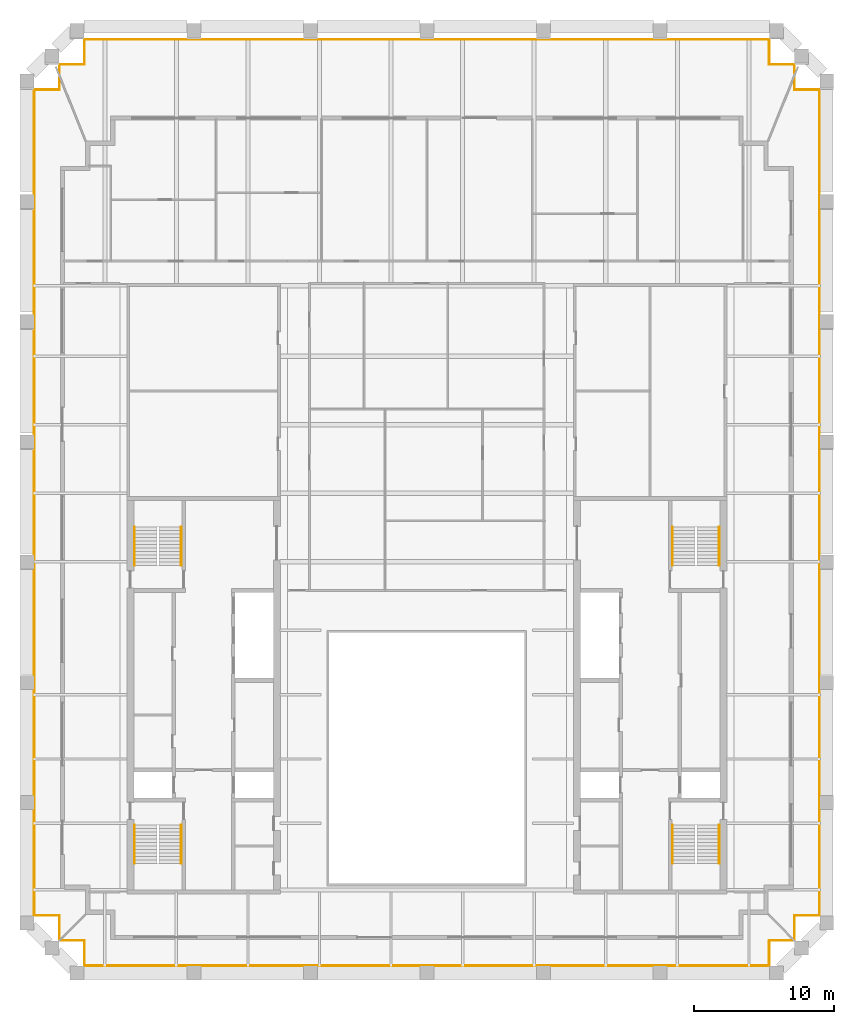
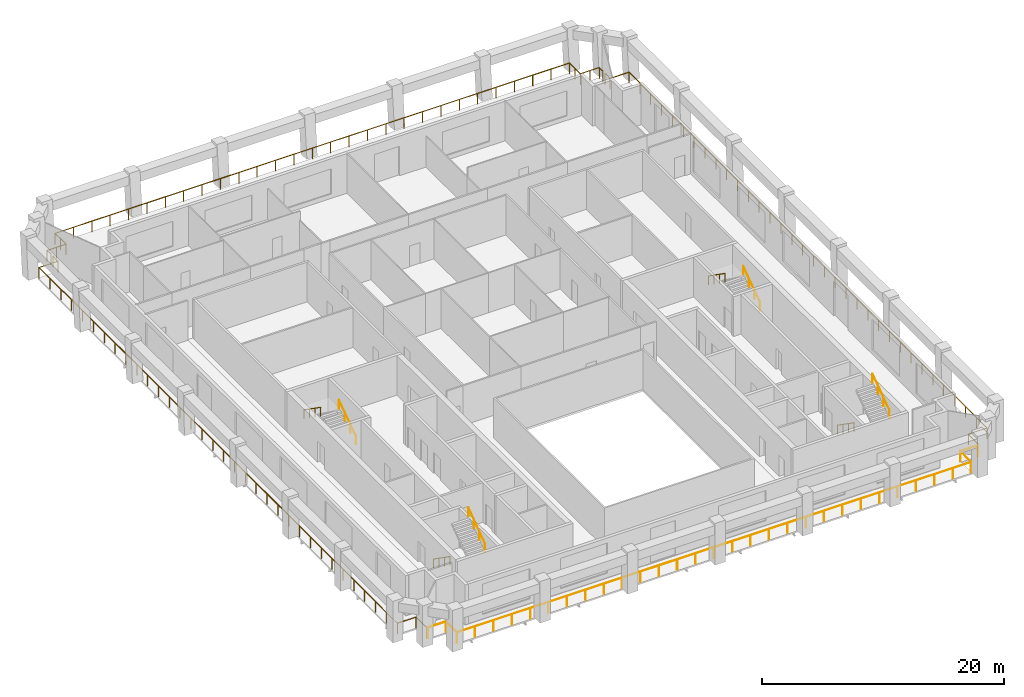
# One storey, part 8 of 8: 12 railings.
"""IFC4 building model written with IfcOpenShell, lengths in metres."""

from ifc_helpers import new_model, si_unit, direction, frame, origin, origin_2d, place, context, subcontext, project, spatial, circle, extrude, material, type_object, element, save


model = new_model("IFC4")

# Units and contexts
model_context = context("Model", 3, precision=1e-05, world=origin(), true_north=direction((0.0, 1.0)))
body_context = subcontext(model_context, "Body", "Model", "MODEL_VIEW")
ifc_project = project(units=[si_unit("LENGTHUNIT", "METRE"), si_unit("AREAUNIT", "SQUARE_METRE"), si_unit("VOLUMEUNIT", "CUBIC_METRE"), si_unit("PLANEANGLEUNIT", "RADIAN"), si_unit("MASSUNIT", "GRAM", prefix="KILO")], contexts=[model_context])

# Site, building, storey
site_placement = place(None, origin())
site = spatial("IfcSite", under=ifc_project, at=site_placement, CompositionType="ELEMENT")
building_placement = place(site_placement, origin())
building = spatial("IfcBuilding", under=site, at=building_placement, Name="Ogive Exchange Tower", CompositionType="ELEMENT")
storey_placement = place(building_placement, frame((0.0, 0.0, 342.60009765625)))
storey = spatial("IfcBuildingStorey", under=building, at=storey_placement, Name="L75", CompositionType="ELEMENT", Elevation=342.60009765625)

# Railings
ifc_material_1 = material(Name="Stainless steel 316", Category="steel")
railing_type_1 = type_object("IfcRailingType", Name="Guard 1100 stainless steel and glass", PredefinedType="GUARDRAIL", material=ifc_material_1)
railing_1_placement = place(storey_placement, frame((26.238037109375, -6.080078125, -0.050048828125)))
element("IfcRailing", 1, at=railing_1_placement, inside=storey, type_object=railing_type_1, Name="Loggia guard 1", PredefinedType="GUARDRAIL", context=body_context, shape_type="SweptSolid", body=[
    extrude(circle(Radius=0.02392578125, at=origin_2d()), frame((0.0, 0.0, 1.076171875), z_axis=(-1.0, 0.0, 0.0), x_axis=(0.0, -1.0, 0.0)), (0.0, 0.0, 1.0), 1.7080078125),
    extrude(circle(Radius=0.02392578125, at=origin_2d()), frame((-1.7080078125, 0.0, 1.076171875), z_axis=(0.0, -1.0, 0.0), x_axis=(1.0, 0.0, 0.0)), (0.0, 0.0, 1.0), 1.7998046875),
    extrude(circle(Radius=0.02392578125, at=origin_2d()), frame((-1.7080078125, -1.7998046875, 1.076171875), z_axis=(-1.0, 0.0, 0.0), x_axis=(0.0, -1.0, 0.0)), (0.0, 0.0, 1.0), 49.06005859375),
    extrude(circle(Radius=0.02392578125, at=origin_2d()), frame((-50.76806640625, -1.7998046875, 1.076171875), z_axis=(0.0, 1.0, 0.0), x_axis=(-1.0, 0.0, 0.0)), (0.0, 0.0, 1.0), 1.7998046875),
    extrude(circle(Radius=0.02392578125, at=origin_2d()), frame((-50.76806640625, 0.0, 1.076171875), z_axis=(-1.0, 0.0, 0.0), x_axis=(0.0, -1.0, 0.0)), (0.0, 0.0, 1.0), 1.7080078125),
    extrude(circle(Radius=0.02099609375, at=origin_2d()), origin(), (0.0, 0.0, 1.0), 1.052001953125),
    extrude(circle(Radius=0.02099609375, at=origin_2d()), frame((-1.7080078125, 0.0, 0.0)), (0.0, 0.0, 1.0), 1.052001953125),
    extrude(circle(Radius=0.02099609375, at=origin_2d()), frame((-1.7080078125, -1.7998046875, 0.0)), (0.0, 0.0, 1.0), 1.052001953125),
    extrude(circle(Radius=0.02099609375, at=origin_2d()), frame((-3.460205078125, -1.7998046875, 0.0)), (0.0, 0.0, 1.0), 1.052001953125),
    extrude(circle(Radius=0.02099609375, at=origin_2d()), frame((-5.21240234375, -1.7998046875, 0.0)), (0.0, 0.0, 1.0), 1.052001953125),
    extrude(circle(Radius=0.02099609375, at=origin_2d()), frame((-6.96435546875, -1.7998046875, 0.0)), (0.0, 0.0, 1.0), 1.052001953125),
    extrude(circle(Radius=0.02099609375, at=origin_2d()), frame((-8.716552734375, -1.7998046875, 0.0)), (0.0, 0.0, 1.0), 1.052001953125),
    extrude(circle(Radius=0.02099609375, at=origin_2d()), frame((-10.46875, -1.7998046875, 0.0)), (0.0, 0.0, 1.0), 1.052001953125),
    extrude(circle(Radius=0.02099609375, at=origin_2d()), frame((-12.220947265625, -1.7998046875, 0.0)), (0.0, 0.0, 1.0), 1.052001953125),
    extrude(circle(Radius=0.02099609375, at=origin_2d()), frame((-13.97314453125, -1.7998046875, 0.0)), (0.0, 0.0, 1.0), 1.052001953125),
    extrude(circle(Radius=0.02099609375, at=origin_2d()), frame((-15.72509765625, -1.7998046875, 0.0)), (0.0, 0.0, 1.0), 1.052001953125),
    extrude(circle(Radius=0.02099609375, at=origin_2d()), frame((-17.477294921875, -1.7998046875, 0.0)), (0.0, 0.0, 1.0), 1.052001953125),
    extrude(circle(Radius=0.02099609375, at=origin_2d()), frame((-19.2294921875, -1.7998046875, 0.0)), (0.0, 0.0, 1.0), 1.052001953125),
    extrude(circle(Radius=0.02099609375, at=origin_2d()), frame((-20.981689453125, -1.7998046875, 0.0)), (0.0, 0.0, 1.0), 1.052001953125),
    extrude(circle(Radius=0.02099609375, at=origin_2d()), frame((-22.733642578125, -1.7998046875, 0.0)), (0.0, 0.0, 1.0), 1.052001953125),
    extrude(circle(Radius=0.02099609375, at=origin_2d()), frame((-24.48583984375, -1.7998046875, 0.0)), (0.0, 0.0, 1.0), 1.052001953125),
    extrude(circle(Radius=0.02099609375, at=origin_2d()), frame((-26.238037109375, -1.7998046875, 0.0)), (0.0, 0.0, 1.0), 1.052001953125),
    extrude(circle(Radius=0.02099609375, at=origin_2d()), frame((-27.990234375, -1.7998046875, 0.0)), (0.0, 0.0, 1.0), 1.052001953125),
    extrude(circle(Radius=0.02099609375, at=origin_2d()), frame((-29.742431640625, -1.7998046875, 0.0)), (0.0, 0.0, 1.0), 1.052001953125),
    extrude(circle(Radius=0.02099609375, at=origin_2d()), frame((-31.494384765625, -1.7998046875, 0.0)), (0.0, 0.0, 1.0), 1.052001953125),
    extrude(circle(Radius=0.02099609375, at=origin_2d()), frame((-33.24658203125, -1.7998046875, 0.0)), (0.0, 0.0, 1.0), 1.052001953125),
    extrude(circle(Radius=0.02099609375, at=origin_2d()), frame((-34.998779296875, -1.7998046875, 0.0)), (0.0, 0.0, 1.0), 1.052001953125),
    extrude(circle(Radius=0.02099609375, at=origin_2d()), frame((-36.7509765625, -1.7998046875, 0.0)), (0.0, 0.0, 1.0), 1.052001953125),
    extrude(circle(Radius=0.02099609375, at=origin_2d()), frame((-38.5029296875, -1.7998046875, 0.0)), (0.0, 0.0, 1.0), 1.052001953125),
    extrude(circle(Radius=0.02099609375, at=origin_2d()), frame((-40.255126953125, -1.7998046875, 0.0)), (0.0, 0.0, 1.0), 1.052001953125),
    extrude(circle(Radius=0.02099609375, at=origin_2d()), frame((-42.00732421875, -1.7998046875, 0.0)), (0.0, 0.0, 1.0), 1.052001953125),
    extrude(circle(Radius=0.02099609375, at=origin_2d()), frame((-43.759521484375, -1.7998046875, 0.0)), (0.0, 0.0, 1.0), 1.052001953125),
    extrude(circle(Radius=0.02099609375, at=origin_2d()), frame((-45.51171875, -1.7998046875, 0.0)), (0.0, 0.0, 1.0), 1.052001953125),
    extrude(circle(Radius=0.02099609375, at=origin_2d()), frame((-47.263671875, -1.7998046875, 0.0)), (0.0, 0.0, 1.0), 1.052001953125),
    extrude(circle(Radius=0.02099609375, at=origin_2d()), frame((-49.015869140625, -1.7998046875, 0.0)), (0.0, 0.0, 1.0), 1.052001953125),
    extrude(circle(Radius=0.02099609375, at=origin_2d()), frame((-50.76806640625, -1.7998046875, 0.0)), (0.0, 0.0, 1.0), 1.052001953125),
    extrude(circle(Radius=0.02099609375, at=origin_2d()), frame((-50.76806640625, 0.0, 0.0)), (0.0, 0.0, 1.0), 1.052001953125),
    extrude(circle(Radius=0.02099609375, at=origin_2d()), frame((-52.47607421875, 0.0, 0.0)), (0.0, 0.0, 1.0), 1.052001953125),
])
railing_2_placement = place(storey_placement, frame((-26.330078125, -5.988037109375, -0.050048828125)))
element("IfcRailing", 2, at=railing_2_placement, inside=storey, type_object=railing_type_1, Name="Loggia guard 2", PredefinedType="GUARDRAIL", context=body_context, shape_type="SweptSolid", body=[
    extrude(circle(Radius=0.02392578125, at=origin_2d()), frame((0.0, 0.0, 1.076171875), z_axis=(0.0, 1.0, 0.0), x_axis=(-1.0, 0.0, 0.0)), (0.0, 0.0, 1.0), 1.7080078125),
    extrude(circle(Radius=0.02392578125, at=origin_2d()), frame((0.0, 1.7080078125, 1.076171875), z_axis=(-1.0, 0.0, 0.0), x_axis=(0.0, -1.0, 0.0)), (0.0, 0.0, 1.0), 1.7998046875),
    extrude(circle(Radius=0.02392578125, at=origin_2d()), frame((-1.7998046875, 1.7080078125, 1.076171875), z_axis=(0.0, 1.0, 0.0), x_axis=(-1.0, 0.0, 0.0)), (0.0, 0.0, 1.0), 59.159912109375),
    extrude(circle(Radius=0.02392578125, at=origin_2d()), frame((-1.7998046875, 60.867919921875, 1.076171875), z_axis=(1.0, 0.0, 0.0), x_axis=(0.0, 1.0, 0.0)), (0.0, 0.0, 1.0), 1.7998046875),
    extrude(circle(Radius=0.02392578125, at=origin_2d()), frame((0.0, 60.867919921875, 1.076171875), z_axis=(0.0, 1.0, 0.0), x_axis=(-1.0, 0.0, 0.0)), (0.0, 0.0, 1.0), 0.84521484375),
    extrude(circle(Radius=0.02099609375, at=origin_2d()), origin(), (0.0, 0.0, 1.0), 1.052001953125),
    extrude(circle(Radius=0.02099609375, at=origin_2d()), frame((0.0, 1.7080078125, 0.0)), (0.0, 0.0, 1.0), 1.052001953125),
    extrude(circle(Radius=0.02099609375, at=origin_2d()), frame((-1.7998046875, 1.7080078125, 0.0)), (0.0, 0.0, 1.0), 1.052001953125),
    extrude(circle(Radius=0.02099609375, at=origin_2d()), frame((-1.7998046875, 3.500732421875, 0.0)), (0.0, 0.0, 1.0), 1.052001953125),
    extrude(circle(Radius=0.02099609375, at=origin_2d()), frame((-1.7998046875, 5.29345703125, 0.0)), (0.0, 0.0, 1.0), 1.052001953125),
    extrude(circle(Radius=0.02099609375, at=origin_2d()), frame((-1.7998046875, 7.086181640625, 0.0)), (0.0, 0.0, 1.0), 1.052001953125),
    extrude(circle(Radius=0.02099609375, at=origin_2d()), frame((-1.7998046875, 8.87890625, 0.0)), (0.0, 0.0, 1.0), 1.052001953125),
    extrude(circle(Radius=0.02099609375, at=origin_2d()), frame((-1.7998046875, 10.671630859375, 0.0)), (0.0, 0.0, 1.0), 1.052001953125),
    extrude(circle(Radius=0.02099609375, at=origin_2d()), frame((-1.7998046875, 12.46435546875, 0.0)), (0.0, 0.0, 1.0), 1.052001953125),
    extrude(circle(Radius=0.02099609375, at=origin_2d()), frame((-1.7998046875, 14.257080078125, 0.0)), (0.0, 0.0, 1.0), 1.052001953125),
    extrude(circle(Radius=0.02099609375, at=origin_2d()), frame((-1.7998046875, 16.0498046875, 0.0)), (0.0, 0.0, 1.0), 1.052001953125),
    extrude(circle(Radius=0.02099609375, at=origin_2d()), frame((-1.7998046875, 17.842529296875, 0.0)), (0.0, 0.0, 1.0), 1.052001953125),
    extrude(circle(Radius=0.02099609375, at=origin_2d()), frame((-1.7998046875, 19.63525390625, 0.0)), (0.0, 0.0, 1.0), 1.052001953125),
    extrude(circle(Radius=0.02099609375, at=origin_2d()), frame((-1.7998046875, 21.427978515625, 0.0)), (0.0, 0.0, 1.0), 1.052001953125),
    extrude(circle(Radius=0.02099609375, at=origin_2d()), frame((-1.7998046875, 23.220703125, 0.0)), (0.0, 0.0, 1.0), 1.052001953125),
    extrude(circle(Radius=0.02099609375, at=origin_2d()), frame((-1.7998046875, 25.013427734375, 0.0)), (0.0, 0.0, 1.0), 1.052001953125),
    extrude(circle(Radius=0.02099609375, at=origin_2d()), frame((-1.7998046875, 26.80615234375, 0.0)), (0.0, 0.0, 1.0), 1.052001953125),
    extrude(circle(Radius=0.02099609375, at=origin_2d()), frame((-1.7998046875, 28.598876953125, 0.0)), (0.0, 0.0, 1.0), 1.052001953125),
    extrude(circle(Radius=0.02099609375, at=origin_2d()), frame((-1.7998046875, 30.3916015625, 0.0)), (0.0, 0.0, 1.0), 1.052001953125),
    extrude(circle(Radius=0.02099609375, at=origin_2d()), frame((-1.7998046875, 32.184326171875, 0.0)), (0.0, 0.0, 1.0), 1.052001953125),
    extrude(circle(Radius=0.02099609375, at=origin_2d()), frame((-1.7998046875, 33.97705078125, 0.0)), (0.0, 0.0, 1.0), 1.052001953125),
    extrude(circle(Radius=0.02099609375, at=origin_2d()), frame((-1.7998046875, 35.769775390625, 0.0)), (0.0, 0.0, 1.0), 1.052001953125),
    extrude(circle(Radius=0.02099609375, at=origin_2d()), frame((-1.7998046875, 37.5625, 0.0)), (0.0, 0.0, 1.0), 1.052001953125),
    extrude(circle(Radius=0.02099609375, at=origin_2d()), frame((-1.7998046875, 39.355224609375, 0.0)), (0.0, 0.0, 1.0), 1.052001953125),
    extrude(circle(Radius=0.02099609375, at=origin_2d()), frame((-1.7998046875, 41.14794921875, 0.0)), (0.0, 0.0, 1.0), 1.052001953125),
    extrude(circle(Radius=0.02099609375, at=origin_2d()), frame((-1.7998046875, 42.940673828125, 0.0)), (0.0, 0.0, 1.0), 1.052001953125),
    extrude(circle(Radius=0.02099609375, at=origin_2d()), frame((-1.7998046875, 44.7333984375, 0.0)), (0.0, 0.0, 1.0), 1.052001953125),
    extrude(circle(Radius=0.02099609375, at=origin_2d()), frame((-1.7998046875, 46.526123046875, 0.0)), (0.0, 0.0, 1.0), 1.052001953125),
    extrude(circle(Radius=0.02099609375, at=origin_2d()), frame((-1.7998046875, 48.31884765625, 0.0)), (0.0, 0.0, 1.0), 1.052001953125),
    extrude(circle(Radius=0.02099609375, at=origin_2d()), frame((-1.7998046875, 50.111572265625, 0.0)), (0.0, 0.0, 1.0), 1.052001953125),
    extrude(circle(Radius=0.02099609375, at=origin_2d()), frame((-1.7998046875, 51.904296875, 0.0)), (0.0, 0.0, 1.0), 1.052001953125),
    extrude(circle(Radius=0.02099609375, at=origin_2d()), frame((-1.7998046875, 53.697021484375, 0.0)), (0.0, 0.0, 1.0), 1.052001953125),
    extrude(circle(Radius=0.02099609375, at=origin_2d()), frame((-1.7998046875, 55.48974609375, 0.0)), (0.0, 0.0, 1.0), 1.052001953125),
    extrude(circle(Radius=0.02099609375, at=origin_2d()), frame((-1.7998046875, 57.282470703125, 0.0)), (0.0, 0.0, 1.0), 1.052001953125),
    extrude(circle(Radius=0.02099609375, at=origin_2d()), frame((-1.7998046875, 59.0751953125, 0.0)), (0.0, 0.0, 1.0), 1.052001953125),
    extrude(circle(Radius=0.02099609375, at=origin_2d()), frame((-1.7998046875, 60.867919921875, 0.0)), (0.0, 0.0, 1.0), 1.052001953125),
    extrude(circle(Radius=0.02099609375, at=origin_2d()), frame((0.0, 60.867919921875, 0.0)), (0.0, 0.0, 1.0), 1.052001953125),
    extrude(circle(Radius=0.02099609375, at=origin_2d()), frame((0.0, 61.713134765625, 0.0)), (0.0, 0.0, 1.0), 1.052001953125),
])
railing_3_placement = place(storey_placement, frame((-26.330078125, 56.074951171875, -0.050048828125)))
element("IfcRailing", 3, at=railing_3_placement, inside=storey, type_object=railing_type_1, Name="Loggia guard 3", PredefinedType="GUARDRAIL", context=body_context, shape_type="SweptSolid", body=[
    extrude(circle(Radius=0.02392578125, at=origin_2d()), frame((0.0, 0.0, 1.076171875), z_axis=(0.0, 1.0, 0.0), x_axis=(-1.0, 0.0, 0.0)), (0.0, 0.0, 1.0), 0.60498046875),
    extrude(circle(Radius=0.02392578125, at=origin_2d()), frame((0.0, 0.60498046875, 1.076171875), z_axis=(1.0, 0.0, 0.0), x_axis=(0.0, 1.0, 0.0)), (0.0, 0.0, 1.0), 1.800048828125),
    extrude(circle(Radius=0.02392578125, at=origin_2d()), frame((1.800048828125, 0.60498046875, 1.076171875), z_axis=(0.0, 1.0, 0.0), x_axis=(-1.0, 0.0, 0.0)), (0.0, 0.0, 1.0), 1.800048828125),
    extrude(circle(Radius=0.02392578125, at=origin_2d()), frame((1.800048828125, 2.405029296875, 1.076171875), z_axis=(1.0, 0.0, 0.0), x_axis=(0.0, 1.0, 0.0)), (0.0, 0.0, 1.0), 49.06005859375),
    extrude(circle(Radius=0.02392578125, at=origin_2d()), frame((50.860107421875, 2.405029296875, 1.076171875), z_axis=(0.0, -1.0, 0.0), x_axis=(1.0, 0.0, 0.0)), (0.0, 0.0, 1.0), 1.800048828125),
    extrude(circle(Radius=0.02392578125, at=origin_2d()), frame((50.860107421875, 0.60498046875, 1.076171875), z_axis=(1.0, 0.0, 0.0), x_axis=(0.0, 1.0, 0.0)), (0.0, 0.0, 1.0), 1.800048828125),
    extrude(circle(Radius=0.02392578125, at=origin_2d()), frame((52.66015625, 0.60498046875, 1.076171875), z_axis=(0.0, -1.0, 0.0), x_axis=(1.0, 0.0, 0.0)), (0.0, 0.0, 1.0), 0.60498046875),
    extrude(circle(Radius=0.02099609375, at=origin_2d()), origin(), (0.0, 0.0, 1.0), 1.052001953125),
    extrude(circle(Radius=0.02099609375, at=origin_2d()), frame((0.0, 0.60498046875, 0.0)), (0.0, 0.0, 1.0), 1.052001953125),
    extrude(circle(Radius=0.02099609375, at=origin_2d()), frame((0.89990234375, 0.60498046875, 0.0)), (0.0, 0.0, 1.0), 1.052001953125),
    extrude(circle(Radius=0.02099609375, at=origin_2d()), frame((1.800048828125, 0.60498046875, 0.0)), (0.0, 0.0, 1.0), 1.052001953125),
    extrude(circle(Radius=0.02099609375, at=origin_2d()), frame((1.800048828125, 1.5048828125, 0.0)), (0.0, 0.0, 1.0), 1.052001953125),
    extrude(circle(Radius=0.02099609375, at=origin_2d()), frame((1.800048828125, 2.405029296875, 0.0)), (0.0, 0.0, 1.0), 1.052001953125),
    extrude(circle(Radius=0.02099609375, at=origin_2d()), frame((3.55224609375, 2.405029296875, 0.0)), (0.0, 0.0, 1.0), 1.052001953125),
    extrude(circle(Radius=0.02099609375, at=origin_2d()), frame((5.304443359375, 2.405029296875, 0.0)), (0.0, 0.0, 1.0), 1.052001953125),
    extrude(circle(Radius=0.02099609375, at=origin_2d()), frame((7.056396484375, 2.405029296875, 0.0)), (0.0, 0.0, 1.0), 1.052001953125),
    extrude(circle(Radius=0.02099609375, at=origin_2d()), frame((8.80859375, 2.405029296875, 0.0)), (0.0, 0.0, 1.0), 1.052001953125),
    extrude(circle(Radius=0.02099609375, at=origin_2d()), frame((10.560791015625, 2.405029296875, 0.0)), (0.0, 0.0, 1.0), 1.052001953125),
    extrude(circle(Radius=0.02099609375, at=origin_2d()), frame((12.31298828125, 2.405029296875, 0.0)), (0.0, 0.0, 1.0), 1.052001953125),
    extrude(circle(Radius=0.02099609375, at=origin_2d()), frame((14.06494140625, 2.405029296875, 0.0)), (0.0, 0.0, 1.0), 1.052001953125),
    extrude(circle(Radius=0.02099609375, at=origin_2d()), frame((15.817138671875, 2.405029296875, 0.0)), (0.0, 0.0, 1.0), 1.052001953125),
    extrude(circle(Radius=0.02099609375, at=origin_2d()), frame((17.5693359375, 2.405029296875, 0.0)), (0.0, 0.0, 1.0), 1.052001953125),
    extrude(circle(Radius=0.02099609375, at=origin_2d()), frame((19.321533203125, 2.405029296875, 0.0)), (0.0, 0.0, 1.0), 1.052001953125),
    extrude(circle(Radius=0.02099609375, at=origin_2d()), frame((21.07373046875, 2.405029296875, 0.0)), (0.0, 0.0, 1.0), 1.052001953125),
    extrude(circle(Radius=0.02099609375, at=origin_2d()), frame((22.82568359375, 2.405029296875, 0.0)), (0.0, 0.0, 1.0), 1.052001953125),
    extrude(circle(Radius=0.02099609375, at=origin_2d()), frame((24.577880859375, 2.405029296875, 0.0)), (0.0, 0.0, 1.0), 1.052001953125),
    extrude(circle(Radius=0.02099609375, at=origin_2d()), frame((26.330078125, 2.405029296875, 0.0)), (0.0, 0.0, 1.0), 1.052001953125),
    extrude(circle(Radius=0.02099609375, at=origin_2d()), frame((28.082275390625, 2.405029296875, 0.0)), (0.0, 0.0, 1.0), 1.052001953125),
    extrude(circle(Radius=0.02099609375, at=origin_2d()), frame((29.83447265625, 2.405029296875, 0.0)), (0.0, 0.0, 1.0), 1.052001953125),
    extrude(circle(Radius=0.02099609375, at=origin_2d()), frame((31.58642578125, 2.405029296875, 0.0)), (0.0, 0.0, 1.0), 1.052001953125),
    extrude(circle(Radius=0.02099609375, at=origin_2d()), frame((33.338623046875, 2.405029296875, 0.0)), (0.0, 0.0, 1.0), 1.052001953125),
    extrude(circle(Radius=0.02099609375, at=origin_2d()), frame((35.0908203125, 2.405029296875, 0.0)), (0.0, 0.0, 1.0), 1.052001953125),
    extrude(circle(Radius=0.02099609375, at=origin_2d()), frame((36.843017578125, 2.405029296875, 0.0)), (0.0, 0.0, 1.0), 1.052001953125),
    extrude(circle(Radius=0.02099609375, at=origin_2d()), frame((38.59521484375, 2.405029296875, 0.0)), (0.0, 0.0, 1.0), 1.052001953125),
    extrude(circle(Radius=0.02099609375, at=origin_2d()), frame((40.34716796875, 2.405029296875, 0.0)), (0.0, 0.0, 1.0), 1.052001953125),
    extrude(circle(Radius=0.02099609375, at=origin_2d()), frame((42.099365234375, 2.405029296875, 0.0)), (0.0, 0.0, 1.0), 1.052001953125),
    extrude(circle(Radius=0.02099609375, at=origin_2d()), frame((43.8515625, 2.405029296875, 0.0)), (0.0, 0.0, 1.0), 1.052001953125),
    extrude(circle(Radius=0.02099609375, at=origin_2d()), frame((45.603759765625, 2.405029296875, 0.0)), (0.0, 0.0, 1.0), 1.052001953125),
    extrude(circle(Radius=0.02099609375, at=origin_2d()), frame((47.355712890625, 2.405029296875, 0.0)), (0.0, 0.0, 1.0), 1.052001953125),
    extrude(circle(Radius=0.02099609375, at=origin_2d()), frame((49.10791015625, 2.405029296875, 0.0)), (0.0, 0.0, 1.0), 1.052001953125),
    extrude(circle(Radius=0.02099609375, at=origin_2d()), frame((50.860107421875, 2.405029296875, 0.0)), (0.0, 0.0, 1.0), 1.052001953125),
    extrude(circle(Radius=0.02099609375, at=origin_2d()), frame((50.860107421875, 1.5048828125, 0.0)), (0.0, 0.0, 1.0), 1.052001953125),
    extrude(circle(Radius=0.02099609375, at=origin_2d()), frame((50.860107421875, 0.60498046875, 0.0)), (0.0, 0.0, 1.0), 1.052001953125),
    extrude(circle(Radius=0.02099609375, at=origin_2d()), frame((51.76025390625, 0.60498046875, 0.0)), (0.0, 0.0, 1.0), 1.052001953125),
    extrude(circle(Radius=0.02099609375, at=origin_2d()), frame((52.66015625, 0.60498046875, 0.0)), (0.0, 0.0, 1.0), 1.052001953125),
    extrude(circle(Radius=0.02099609375, at=origin_2d()), frame((52.66015625, 0.0, 0.0)), (0.0, 0.0, 1.0), 1.052001953125),
])
railing_4_placement = place(storey_placement, frame((26.330078125, 55.72509765625, -0.050048828125)))
element("IfcRailing", 4, at=railing_4_placement, inside=storey, type_object=railing_type_1, Name="Loggia guard 4", PredefinedType="GUARDRAIL", context=body_context, shape_type="SweptSolid", body=[
    extrude(circle(Radius=0.02392578125, at=origin_2d()), frame((0.0, 0.0, 1.076171875), z_axis=(0.0, -1.0, 0.0), x_axis=(1.0, 0.0, 0.0)), (0.0, 0.0, 1.0), 0.84521484375),
    extrude(circle(Radius=0.02392578125, at=origin_2d()), frame((0.0, -0.84521484375, 1.076171875), z_axis=(1.0, 0.0, 0.0), x_axis=(0.0, 1.0, 0.0)), (0.0, 0.0, 1.0), 1.7998046875),
    extrude(circle(Radius=0.02392578125, at=origin_2d()), frame((1.7998046875, -0.84521484375, 1.076171875), z_axis=(0.0, -1.0, 0.0), x_axis=(1.0, 0.0, 0.0)), (0.0, 0.0, 1.0), 59.159912109375),
    extrude(circle(Radius=0.02392578125, at=origin_2d()), frame((1.7998046875, -60.005126953125, 1.076171875), z_axis=(-1.0, 0.0, 0.0), x_axis=(0.0, -1.0, 0.0)), (0.0, 0.0, 1.0), 1.7998046875),
    extrude(circle(Radius=0.02392578125, at=origin_2d()), frame((0.0, -60.005126953125, 1.076171875), z_axis=(0.0, -1.0, 0.0), x_axis=(1.0, 0.0, 0.0)), (0.0, 0.0, 1.0), 1.7080078125),
    extrude(circle(Radius=0.02099609375, at=origin_2d()), origin(), (0.0, 0.0, 1.0), 1.052001953125),
    extrude(circle(Radius=0.02099609375, at=origin_2d()), frame((0.0, -0.84521484375, 0.0)), (0.0, 0.0, 1.0), 1.052001953125),
    extrude(circle(Radius=0.02099609375, at=origin_2d()), frame((1.7998046875, -0.84521484375, 0.0)), (0.0, 0.0, 1.0), 1.052001953125),
    extrude(circle(Radius=0.02099609375, at=origin_2d()), frame((1.7998046875, -2.637939453125, 0.0)), (0.0, 0.0, 1.0), 1.052001953125),
    extrude(circle(Radius=0.02099609375, at=origin_2d()), frame((1.7998046875, -4.4306640625, 0.0)), (0.0, 0.0, 1.0), 1.052001953125),
    extrude(circle(Radius=0.02099609375, at=origin_2d()), frame((1.7998046875, -6.223388671875, 0.0)), (0.0, 0.0, 1.0), 1.052001953125),
    extrude(circle(Radius=0.02099609375, at=origin_2d()), frame((1.7998046875, -8.01611328125, 0.0)), (0.0, 0.0, 1.0), 1.052001953125),
    extrude(circle(Radius=0.02099609375, at=origin_2d()), frame((1.7998046875, -9.808837890625, 0.0)), (0.0, 0.0, 1.0), 1.052001953125),
    extrude(circle(Radius=0.02099609375, at=origin_2d()), frame((1.7998046875, -11.6015625, 0.0)), (0.0, 0.0, 1.0), 1.052001953125),
    extrude(circle(Radius=0.02099609375, at=origin_2d()), frame((1.7998046875, -13.394287109375, 0.0)), (0.0, 0.0, 1.0), 1.052001953125),
    extrude(circle(Radius=0.02099609375, at=origin_2d()), frame((1.7998046875, -15.18701171875, 0.0)), (0.0, 0.0, 1.0), 1.052001953125),
    extrude(circle(Radius=0.02099609375, at=origin_2d()), frame((1.7998046875, -16.979736328125, 0.0)), (0.0, 0.0, 1.0), 1.052001953125),
    extrude(circle(Radius=0.02099609375, at=origin_2d()), frame((1.7998046875, -18.7724609375, 0.0)), (0.0, 0.0, 1.0), 1.052001953125),
    extrude(circle(Radius=0.02099609375, at=origin_2d()), frame((1.7998046875, -20.565185546875, 0.0)), (0.0, 0.0, 1.0), 1.052001953125),
    extrude(circle(Radius=0.02099609375, at=origin_2d()), frame((1.7998046875, -22.35791015625, 0.0)), (0.0, 0.0, 1.0), 1.052001953125),
    extrude(circle(Radius=0.02099609375, at=origin_2d()), frame((1.7998046875, -24.150634765625, 0.0)), (0.0, 0.0, 1.0), 1.052001953125),
    extrude(circle(Radius=0.02099609375, at=origin_2d()), frame((1.7998046875, -25.943359375, 0.0)), (0.0, 0.0, 1.0), 1.052001953125),
    extrude(circle(Radius=0.02099609375, at=origin_2d()), frame((1.7998046875, -27.736083984375, 0.0)), (0.0, 0.0, 1.0), 1.052001953125),
    extrude(circle(Radius=0.02099609375, at=origin_2d()), frame((1.7998046875, -29.52880859375, 0.0)), (0.0, 0.0, 1.0), 1.052001953125),
    extrude(circle(Radius=0.02099609375, at=origin_2d()), frame((1.7998046875, -31.321533203125, 0.0)), (0.0, 0.0, 1.0), 1.052001953125),
    extrude(circle(Radius=0.02099609375, at=origin_2d()), frame((1.7998046875, -33.1142578125, 0.0)), (0.0, 0.0, 1.0), 1.052001953125),
    extrude(circle(Radius=0.02099609375, at=origin_2d()), frame((1.7998046875, -34.906982421875, 0.0)), (0.0, 0.0, 1.0), 1.052001953125),
    extrude(circle(Radius=0.02099609375, at=origin_2d()), frame((1.7998046875, -36.69970703125, 0.0)), (0.0, 0.0, 1.0), 1.052001953125),
    extrude(circle(Radius=0.02099609375, at=origin_2d()), frame((1.7998046875, -38.492431640625, 0.0)), (0.0, 0.0, 1.0), 1.052001953125),
    extrude(circle(Radius=0.02099609375, at=origin_2d()), frame((1.7998046875, -40.28515625, 0.0)), (0.0, 0.0, 1.0), 1.052001953125),
    extrude(circle(Radius=0.02099609375, at=origin_2d()), frame((1.7998046875, -42.077880859375, 0.0)), (0.0, 0.0, 1.0), 1.052001953125),
    extrude(circle(Radius=0.02099609375, at=origin_2d()), frame((1.7998046875, -43.87060546875, 0.0)), (0.0, 0.0, 1.0), 1.052001953125),
    extrude(circle(Radius=0.02099609375, at=origin_2d()), frame((1.7998046875, -45.663330078125, 0.0)), (0.0, 0.0, 1.0), 1.052001953125),
    extrude(circle(Radius=0.02099609375, at=origin_2d()), frame((1.7998046875, -47.4560546875, 0.0)), (0.0, 0.0, 1.0), 1.052001953125),
    extrude(circle(Radius=0.02099609375, at=origin_2d()), frame((1.7998046875, -49.248779296875, 0.0)), (0.0, 0.0, 1.0), 1.052001953125),
    extrude(circle(Radius=0.02099609375, at=origin_2d()), frame((1.7998046875, -51.04150390625, 0.0)), (0.0, 0.0, 1.0), 1.052001953125),
    extrude(circle(Radius=0.02099609375, at=origin_2d()), frame((1.7998046875, -52.834228515625, 0.0)), (0.0, 0.0, 1.0), 1.052001953125),
    extrude(circle(Radius=0.02099609375, at=origin_2d()), frame((1.7998046875, -54.626953125, 0.0)), (0.0, 0.0, 1.0), 1.052001953125),
    extrude(circle(Radius=0.02099609375, at=origin_2d()), frame((1.7998046875, -56.419677734375, 0.0)), (0.0, 0.0, 1.0), 1.052001953125),
    extrude(circle(Radius=0.02099609375, at=origin_2d()), frame((1.7998046875, -58.21240234375, 0.0)), (0.0, 0.0, 1.0), 1.052001953125),
    extrude(circle(Radius=0.02099609375, at=origin_2d()), frame((1.7998046875, -60.005126953125, 0.0)), (0.0, 0.0, 1.0), 1.052001953125),
    extrude(circle(Radius=0.02099609375, at=origin_2d()), frame((0.0, -60.005126953125, 0.0)), (0.0, 0.0, 1.0), 1.052001953125),
    extrude(circle(Radius=0.02099609375, at=origin_2d()), frame((0.0, -61.713134765625, 0.0)), (0.0, 0.0, 1.0), 1.052001953125),
])
ifc_material_2 = material(Name="Stainless steel", Category="steel")
railing_type_2 = type_object("IfcRailingType", Name="Stair handrail 900", PredefinedType="HANDRAIL", material=ifc_material_2)
railing_5_placement = place(storey_placement, frame((-20.949951171875, 2.199951171875, 0.1748046875)))
element("IfcRailing", 5, at=railing_5_placement, inside=storey, type_object=railing_type_2, Name="L75 ST1 stair handrail 1", PredefinedType="HANDRAIL", context=body_context, shape_type="SweptSolid", body=[
    extrude(circle(Radius=0.02392578125, at=origin_2d()), frame((0.0, 0.0, 0.8759765625), z_axis=(0.0, -0.819225086817, 0.573472106672), x_axis=(1.0, 0.0, 0.0)), (0.0, 0.0, 1.0), 3.35693359375),
    extrude(circle(Radius=0.02099609375, at=origin_2d()), origin(), (0.0, 0.0, 1.0), 0.851806640625),
    extrude(circle(Radius=0.02099609375, at=origin_2d()), frame((0.0, -0.916748046875, 0.6416015625)), (0.0, 0.0, 1.0), 0.851806640625),
    extrude(circle(Radius=0.02099609375, at=origin_2d()), frame((0.0, -1.833251953125, 1.283447265625)), (0.0, 0.0, 1.0), 0.851806640625),
    extrude(circle(Radius=0.02099609375, at=origin_2d()), frame((0.0, -2.75, 1.925048828125)), (0.0, 0.0, 1.0), 0.851806640625),
])
for number, where, name in (
    (6, (-17.60009765625, -0.550048828125, 2.27490234375), "L75 ST1 stair handrail 2"),
    (7, (-17.60009765625, 20.800048828125, 0.1748046875), "L75 ST2 stair handrail 1"),
):
    element("IfcRailing", number, at=place(storey_placement, frame(where)), inside=storey, type_object=railing_type_2, Name=name, PredefinedType="HANDRAIL", context=body_context, shape_type="SweptSolid", body=[
        extrude(circle(Radius=0.02392578125, at=origin_2d()), frame((0.0, 0.0, 0.8759765625), z_axis=(0.0, 0.819225086817, 0.573472106672), x_axis=(-1.0, 0.0, 0.0)), (0.0, 0.0, 1.0), 3.35693359375),
        extrude(circle(Radius=0.02099609375, at=origin_2d()), origin(), (0.0, 0.0, 1.0), 0.851806640625),
        extrude(circle(Radius=0.02099609375, at=origin_2d()), frame((0.0, 0.916748046875, 0.6416015625)), (0.0, 0.0, 1.0), 0.851806640625),
        extrude(circle(Radius=0.02099609375, at=origin_2d()), frame((0.0, 1.833251953125, 1.283447265625)), (0.0, 0.0, 1.0), 0.851806640625),
        extrude(circle(Radius=0.02099609375, at=origin_2d()), frame((0.0, 2.75, 1.925048828125)), (0.0, 0.0, 1.0), 0.851806640625),
    ])
for number, where, name in (
    (8, (-20.949951171875, 23.550048828125, 2.27490234375), "L75 ST2 stair handrail 2"),
    (9, (17.60009765625, 2.199951171875, 0.1748046875), "L75 ST3 stair handrail 1"),
):
    element("IfcRailing", number, at=place(storey_placement, frame(where)), inside=storey, type_object=railing_type_2, Name=name, PredefinedType="HANDRAIL", context=body_context, shape_type="SweptSolid", body=[
        extrude(circle(Radius=0.02392578125, at=origin_2d()), frame((0.0, 0.0, 0.8759765625), z_axis=(0.0, -0.819225086817, 0.573472106672), x_axis=(1.0, 0.0, 0.0)), (0.0, 0.0, 1.0), 3.35693359375),
        extrude(circle(Radius=0.02099609375, at=origin_2d()), origin(), (0.0, 0.0, 1.0), 0.851806640625),
        extrude(circle(Radius=0.02099609375, at=origin_2d()), frame((0.0, -0.916748046875, 0.6416015625)), (0.0, 0.0, 1.0), 0.851806640625),
        extrude(circle(Radius=0.02099609375, at=origin_2d()), frame((0.0, -1.833251953125, 1.283447265625)), (0.0, 0.0, 1.0), 0.851806640625),
        extrude(circle(Radius=0.02099609375, at=origin_2d()), frame((0.0, -2.75, 1.925048828125)), (0.0, 0.0, 1.0), 0.851806640625),
    ])
for number, where, name in (
    (10, (20.949951171875, -0.550048828125, 2.27490234375), "L75 ST3 stair handrail 2"),
    (11, (20.949951171875, 20.800048828125, 0.1748046875), "L75 ST4 stair handrail 1"),
):
    element("IfcRailing", number, at=place(storey_placement, frame(where)), inside=storey, type_object=railing_type_2, Name=name, PredefinedType="HANDRAIL", context=body_context, shape_type="SweptSolid", body=[
        extrude(circle(Radius=0.02392578125, at=origin_2d()), frame((0.0, 0.0, 0.8759765625), z_axis=(0.0, 0.819225086817, 0.573472106672), x_axis=(-1.0, 0.0, 0.0)), (0.0, 0.0, 1.0), 3.35693359375),
        extrude(circle(Radius=0.02099609375, at=origin_2d()), origin(), (0.0, 0.0, 1.0), 0.851806640625),
        extrude(circle(Radius=0.02099609375, at=origin_2d()), frame((0.0, 0.916748046875, 0.6416015625)), (0.0, 0.0, 1.0), 0.851806640625),
        extrude(circle(Radius=0.02099609375, at=origin_2d()), frame((0.0, 1.833251953125, 1.283447265625)), (0.0, 0.0, 1.0), 0.851806640625),
        extrude(circle(Radius=0.02099609375, at=origin_2d()), frame((0.0, 2.75, 1.925048828125)), (0.0, 0.0, 1.0), 0.851806640625),
    ])
railing_6_placement = place(storey_placement, frame((17.60009765625, 23.550048828125, 2.27490234375)))
element("IfcRailing", 12, at=railing_6_placement, inside=storey, type_object=railing_type_2, Name="L75 ST4 stair handrail 2", PredefinedType="HANDRAIL", context=body_context, shape_type="SweptSolid", body=[
    extrude(circle(Radius=0.02392578125, at=origin_2d()), frame((0.0, 0.0, 0.8759765625), z_axis=(0.0, -0.819225086817, 0.573472106672), x_axis=(1.0, 0.0, 0.0)), (0.0, 0.0, 1.0), 3.35693359375),
    extrude(circle(Radius=0.02099609375, at=origin_2d()), origin(), (0.0, 0.0, 1.0), 0.851806640625),
    extrude(circle(Radius=0.02099609375, at=origin_2d()), frame((0.0, -0.916748046875, 0.6416015625)), (0.0, 0.0, 1.0), 0.851806640625),
    extrude(circle(Radius=0.02099609375, at=origin_2d()), frame((0.0, -1.833251953125, 1.283447265625)), (0.0, 0.0, 1.0), 0.851806640625),
    extrude(circle(Radius=0.02099609375, at=origin_2d()), frame((0.0, -2.75, 1.925048828125)), (0.0, 0.0, 1.0), 0.851806640625),
])

save(model, "model.ifc")
